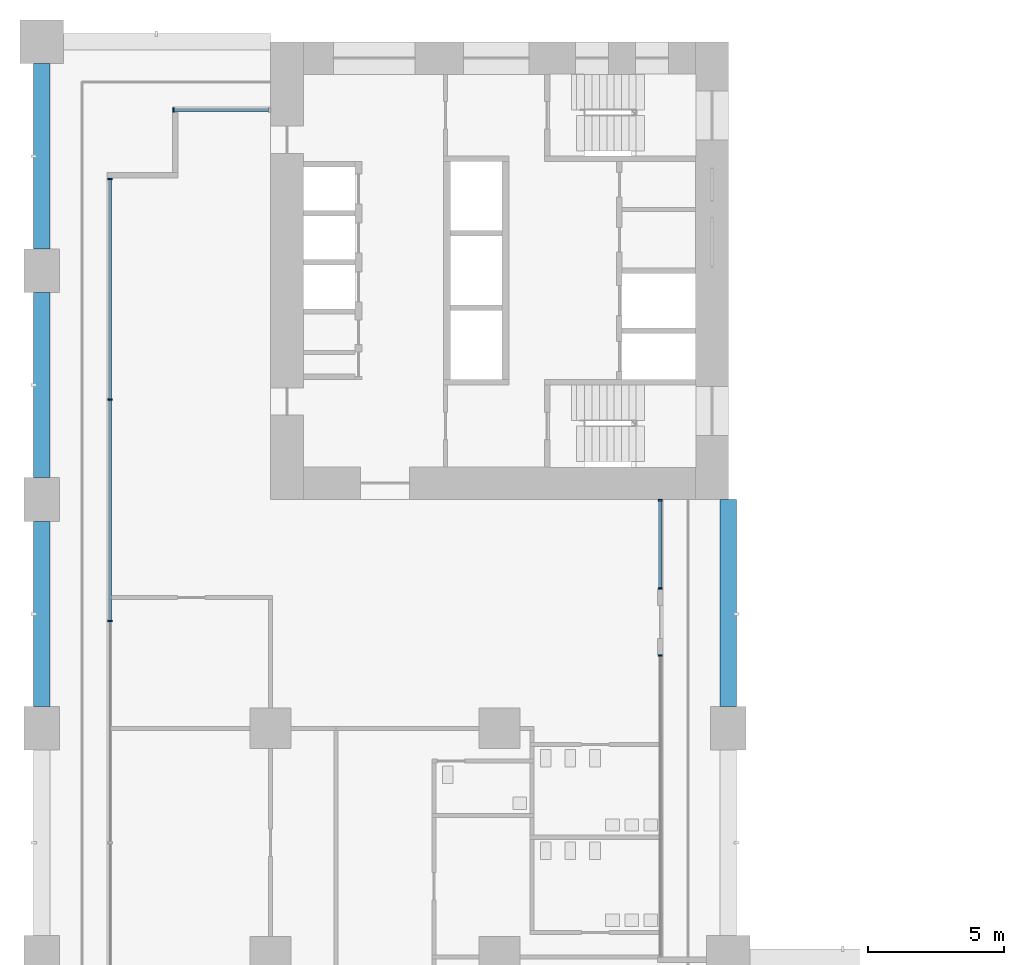
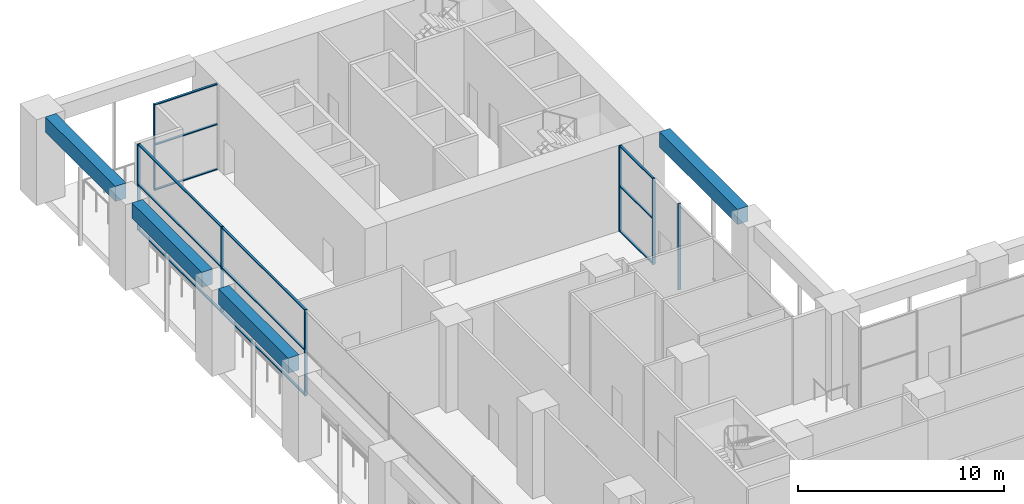
# One storey, part 10 of 33: 19 members, 4 beams, 4 elements without a shape of their own.
"""IFC4 building model written with IfcOpenShell, lengths in metres."""

from ifc_helpers import new_model, si_unit, direction, frame, origin, origin_2d, place, context, subcontext, project, spatial, rectangle, extrude, material, material_profile, profile_set, type_object, element, aggregate, save


model = new_model("IFC4")

# Units and contexts
model_context = context("Model", 3, precision=1e-05, world=origin(), true_north=direction((0.0, 1.0)))
body_context = subcontext(model_context, "Body", "Model", "MODEL_VIEW")
ifc_project = project(units=[si_unit("LENGTHUNIT", "METRE"), si_unit("AREAUNIT", "SQUARE_METRE"), si_unit("VOLUMEUNIT", "CUBIC_METRE"), si_unit("PLANEANGLEUNIT", "RADIAN"), si_unit("MASSUNIT", "GRAM", prefix="KILO")], contexts=[model_context])

# Site, building, storey
site_placement = place(None, origin())
site = spatial("IfcSite", under=ifc_project, at=site_placement, CompositionType="ELEMENT")
building_placement = place(site_placement, origin())
building = spatial("IfcBuilding", under=site, at=building_placement, Name="Vermilion Gate Residences", CompositionType="ELEMENT")
storey_placement = place(building_placement, frame((0.0, 0.0, 14.39990234375)))
storey = spatial("IfcBuildingStorey", under=building, at=storey_placement, Name="L02", CompositionType="ELEMENT", Elevation=14.39990234375)

# Curtain wall, member
ifc_material_1 = material(Name="Aluminium and glass", Category="aluminium")
curtain_wall_type = type_object("IfcCurtainWallType", Name="AMENITY GLAZING CURTAIN WALL", PredefinedType="NOTDEFINED", material=ifc_material_1)
curtain_wall_1_placement = place(storey_placement, origin())
curtain_wall_1 = element("IfcCurtainWall", 1, at=curtain_wall_1_placement, inside=storey, type_object=curtain_wall_type, Name="Amenity Glazing 0", PredefinedType="NOTDEFINED")
ifc_material_2 = material(Name="Aluminium", Category="aluminium")
ifc_material_profile_1 = material_profile(ifc_material_2, rectangle(XDim=0.159912109375, YDim=0.06005859375, at=origin_2d()), Name="MULLION 60 X 160")
ifc_profile_set_1 = profile_set([ifc_material_profile_1], Name="Aluminium")
member_type_1 = type_object("IfcMemberType", Name="AMENITY GLAZING MULLION 60 X 160", PredefinedType="MULLION", material=ifc_profile_set_1)
member_1_placement = place(storey_placement, frame((4.830078125, 56.300048828125, 0.0), z_axis=(0.0, 0.0, 1.0), x_axis=(0.0, -1.0, 0.0)))
member_1 = element("IfcMember", 2, at=member_1_placement, type_object=member_type_1, Name="ECW2 mullion 2", PredefinedType="MULLION", context=body_context, shape_type="SweptSolid", body=[
    extrude(rectangle(XDim=0.159912109375, YDim=0.06005859375, at=origin_2d()), origin(), (0.0, 0.0, 1.0), 5.10009765625),
])

# Curtain wall, members
curtain_wall_2_placement = place(storey_placement, origin())
curtain_wall_2 = element("IfcCurtainWall", 3, at=curtain_wall_2_placement, inside=storey, type_object=curtain_wall_type, Name="Amenity Glazing 30", PredefinedType="NOTDEFINED")
member_2_placement = place(storey_placement, frame((2.5, 53.77001953125, 0.0), z_axis=(0.0, 0.0, 1.0), x_axis=(1.0, 0.0, 0.0)))
member_2 = element("IfcMember", 4, at=member_2_placement, type_object=member_type_1, Name="ECW2 mullion 1", PredefinedType="MULLION", context=body_context, shape_type="SweptSolid", body=[
    extrude(rectangle(XDim=0.159912109375, YDim=0.06005859375, at=origin_2d()), origin(), (0.0, 0.0, 1.0), 5.10009765625),
])
member_3_placement = place(storey_placement, frame((2.5, 45.666748046875, 0.0), z_axis=(0.0, 0.0, 1.0), x_axis=(1.0, 0.0, 0.0)))
member_3 = element("IfcMember", 5, at=member_3_placement, type_object=member_type_1, Name="ECW2 mullion 2", PredefinedType="MULLION", context=body_context, shape_type="SweptSolid", body=[
    extrude(rectangle(XDim=0.159912109375, YDim=0.06005859375, at=origin_2d()), origin(), (0.0, 0.0, 1.0), 5.10009765625),
])
member_4_placement = place(storey_placement, frame((2.5, 37.533447265625, 0.0), z_axis=(0.0, 0.0, 1.0), x_axis=(1.0, 0.0, 0.0)))
member_4 = element("IfcMember", 6, at=member_4_placement, type_object=member_type_1, Name="ECW2 mullion 3", PredefinedType="MULLION", context=body_context, shape_type="SweptSolid", body=[
    extrude(rectangle(XDim=0.159912109375, YDim=0.06005859375, at=origin_2d()), origin(), (0.0, 0.0, 1.0), 5.10009765625),
])

# Curtain wall, member
curtain_wall_3_placement = place(storey_placement, origin())
curtain_wall_3 = element("IfcCurtainWall", 7, at=curtain_wall_3_placement, inside=storey, type_object=curtain_wall_type, Name="Amenity Glazing 160", PredefinedType="NOTDEFINED")
member_5_placement = place(storey_placement, frame((22.699951171875, 36.27001953125, 0.0), z_axis=(0.0, 0.0, 1.0), x_axis=(-1.0, 0.0, 0.0)))
member_5 = element("IfcMember", 8, at=member_5_placement, type_object=member_type_1, Name="ECW2 mullion 2", PredefinedType="MULLION", context=body_context, shape_type="SweptSolid", body=[
    extrude(rectangle(XDim=0.159912109375, YDim=0.06005859375, at=origin_2d()), origin(), (0.0, 0.0, 1.0), 5.10009765625),
])
aggregate(curtain_wall_3, [member_5])

# Curtain wall, members
curtain_wall_4_placement = place(storey_placement, origin())
curtain_wall_4 = element("IfcCurtainWall", 9, at=curtain_wall_4_placement, inside=storey, type_object=curtain_wall_type, Name="Amenity Glazing 162", PredefinedType="NOTDEFINED")
member_6_placement = place(storey_placement, frame((22.699951171875, 38.72998046875, 0.0), z_axis=(0.0, 0.0, 1.0), x_axis=(-1.0, 0.0, 0.0)))
member_6 = element("IfcMember", 10, at=member_6_placement, type_object=member_type_1, Name="ECW2 mullion 1", PredefinedType="MULLION", context=body_context, shape_type="SweptSolid", body=[
    extrude(rectangle(XDim=0.159912109375, YDim=0.06005859375, at=origin_2d()), origin(), (0.0, 0.0, 1.0), 5.10009765625),
])
member_7_placement = place(storey_placement, frame((22.699951171875, 41.969970703125, 0.0), z_axis=(0.0, 0.0, 1.0), x_axis=(-1.0, 0.0, 0.0)))
member_7 = element("IfcMember", 11, at=member_7_placement, type_object=member_type_1, Name="ECW2 mullion 2", PredefinedType="MULLION", context=body_context, shape_type="SweptSolid", body=[
    extrude(rectangle(XDim=0.159912109375, YDim=0.06005859375, at=origin_2d()), origin(), (0.0, 0.0, 1.0), 5.10009765625),
])

# Member
ifc_material_3 = material(Name="Aluminium", Category="aluminium")
ifc_material_profile_2 = material_profile(ifc_material_3, rectangle(XDim=0.1201171875, YDim=0.06005859375, at=origin_2d()), Name="TRANSOM 60 X 120")
ifc_profile_set_2 = profile_set([ifc_material_profile_2], Name="Aluminium")
member_type_2 = type_object("IfcMemberType", Name="AMENITY GLAZING TRANSOM 60 X 120", PredefinedType="MULLION", material=ifc_profile_set_2)
member_8_placement = place(storey_placement, frame((8.340087890625, 56.300048828125, 0.030029296875), z_axis=(-1.0, 0.0, 0.0), x_axis=(0.0, -1.0, 0.0)))
member_8 = element("IfcMember", 12, at=member_8_placement, type_object=member_type_2, Name="ECW2 transom 1.1", PredefinedType="MULLION", context=body_context, shape_type="SweptSolid", body=[
    extrude(rectangle(XDim=0.1201171875, YDim=0.06005859375, at=origin_2d()), origin(), (0.0, 0.0, 1.0), 3.47998046875),
])

member_9_placement = place(storey_placement, frame((8.340087890625, 56.300048828125, 2.7001953125), z_axis=(-1.0, 0.0, 0.0), x_axis=(0.0, -1.0, 0.0)))
member_9 = element("IfcMember", 13, at=member_9_placement, type_object=member_type_2, Name="ECW2 transom 1.2", PredefinedType="MULLION", context=body_context, shape_type="SweptSolid", body=[
    extrude(rectangle(XDim=0.1201171875, YDim=0.06005859375, at=origin_2d()), origin(), (0.0, 0.0, 1.0), 3.47998046875),
])

member_10_placement = place(storey_placement, frame((8.340087890625, 56.300048828125, 5.070068359375), z_axis=(-1.0, 0.0, 0.0), x_axis=(0.0, -1.0, 0.0)))
member_10 = element("IfcMember", 14, at=member_10_placement, type_object=member_type_2, Name="ECW2 transom 1.3", PredefinedType="MULLION", context=body_context, shape_type="SweptSolid", body=[
    extrude(rectangle(XDim=0.1201171875, YDim=0.06005859375, at=origin_2d()), origin(), (0.0, 0.0, 1.0), 3.47998046875),
])

aggregate(curtain_wall_1, [member_1, member_8, member_9, member_10])

member_11_placement = place(storey_placement, frame((2.5, 53.739990234375, 0.030029296875), z_axis=(0.0, -1.0, 0.0), x_axis=(1.0, 0.0, 0.0)))
member_11 = element("IfcMember", 15, at=member_11_placement, type_object=member_type_2, Name="ECW2 transom 1.1", PredefinedType="MULLION", context=body_context, shape_type="SweptSolid", body=[
    extrude(rectangle(XDim=0.1201171875, YDim=0.06005859375, at=origin_2d()), origin(), (0.0, 0.0, 1.0), 8.043212890625),
])

member_12_placement = place(storey_placement, frame((2.5, 53.739990234375, 2.7001953125), z_axis=(0.0, -1.0, 0.0), x_axis=(1.0, 0.0, 0.0)))
member_12 = element("IfcMember", 16, at=member_12_placement, type_object=member_type_2, Name="ECW2 transom 1.2", PredefinedType="MULLION", context=body_context, shape_type="SweptSolid", body=[
    extrude(rectangle(XDim=0.1201171875, YDim=0.06005859375, at=origin_2d()), origin(), (0.0, 0.0, 1.0), 8.043212890625),
])

member_13_placement = place(storey_placement, frame((2.5, 53.739990234375, 5.070068359375), z_axis=(0.0, -1.0, 0.0), x_axis=(1.0, 0.0, 0.0)))
member_13 = element("IfcMember", 17, at=member_13_placement, type_object=member_type_2, Name="ECW2 transom 1.3", PredefinedType="MULLION", context=body_context, shape_type="SweptSolid", body=[
    extrude(rectangle(XDim=0.1201171875, YDim=0.06005859375, at=origin_2d()), origin(), (0.0, 0.0, 1.0), 8.043212890625),
])

member_14_placement = place(storey_placement, frame((2.5, 45.63671875, 0.030029296875), z_axis=(0.0, -1.0, 0.0), x_axis=(1.0, 0.0, 0.0)))
member_14 = element("IfcMember", 18, at=member_14_placement, type_object=member_type_2, Name="ECW2 transom 2.1", PredefinedType="MULLION", context=body_context, shape_type="SweptSolid", body=[
    extrude(rectangle(XDim=0.1201171875, YDim=0.06005859375, at=origin_2d()), origin(), (0.0, 0.0, 1.0), 8.073486328125),
])

member_15_placement = place(storey_placement, frame((2.5, 45.63671875, 2.7001953125), z_axis=(0.0, -1.0, 0.0), x_axis=(1.0, 0.0, 0.0)))
member_15 = element("IfcMember", 19, at=member_15_placement, type_object=member_type_2, Name="ECW2 transom 2.2", PredefinedType="MULLION", context=body_context, shape_type="SweptSolid", body=[
    extrude(rectangle(XDim=0.1201171875, YDim=0.06005859375, at=origin_2d()), origin(), (0.0, 0.0, 1.0), 8.073486328125),
])

member_16_placement = place(storey_placement, frame((2.5, 45.63671875, 5.070068359375), z_axis=(0.0, -1.0, 0.0), x_axis=(1.0, 0.0, 0.0)))
member_16 = element("IfcMember", 20, at=member_16_placement, type_object=member_type_2, Name="ECW2 transom 2.3", PredefinedType="MULLION", context=body_context, shape_type="SweptSolid", body=[
    extrude(rectangle(XDim=0.1201171875, YDim=0.06005859375, at=origin_2d()), origin(), (0.0, 0.0, 1.0), 8.073486328125),
])

aggregate(curtain_wall_2, [member_2, member_3, member_4, member_11, member_12, member_13, member_14, member_15, member_16])

member_17_placement = place(storey_placement, frame((22.699951171875, 38.760009765625, 0.030029296875), z_axis=(0.0, 1.0, 0.0), x_axis=(-1.0, 0.0, 0.0)))
member_17 = element("IfcMember", 21, at=member_17_placement, type_object=member_type_2, Name="ECW2 transom 1.1", PredefinedType="MULLION", context=body_context, shape_type="SweptSolid", body=[
    extrude(rectangle(XDim=0.1201171875, YDim=0.06005859375, at=origin_2d()), origin(), (0.0, 0.0, 1.0), 3.179931640625),
])

member_18_placement = place(storey_placement, frame((22.699951171875, 38.760009765625, 2.7001953125), z_axis=(0.0, 1.0, 0.0), x_axis=(-1.0, 0.0, 0.0)))
member_18 = element("IfcMember", 22, at=member_18_placement, type_object=member_type_2, Name="ECW2 transom 1.2", PredefinedType="MULLION", context=body_context, shape_type="SweptSolid", body=[
    extrude(rectangle(XDim=0.1201171875, YDim=0.06005859375, at=origin_2d()), origin(), (0.0, 0.0, 1.0), 3.179931640625),
])

member_19_placement = place(storey_placement, frame((22.699951171875, 38.760009765625, 5.070068359375), z_axis=(0.0, 1.0, 0.0), x_axis=(-1.0, 0.0, 0.0)))
member_19 = element("IfcMember", 23, at=member_19_placement, type_object=member_type_2, Name="ECW2 transom 1.3", PredefinedType="MULLION", context=body_context, shape_type="SweptSolid", body=[
    extrude(rectangle(XDim=0.1201171875, YDim=0.06005859375, at=origin_2d()), origin(), (0.0, 0.0, 1.0), 3.179931640625),
])

aggregate(curtain_wall_4, [member_6, member_7, member_17, member_18, member_19])

# Beams
ifc_material_4 = material(Name="Concrete C60 red-oxide pigmented", Category="concrete")
ifc_material_profile_3 = material_profile(ifc_material_4, rectangle(XDim=0.60009765625, YDim=0.89990234375, at=origin_2d()), Name="RC-600x900")
ifc_profile_set_3 = profile_set([ifc_material_profile_3], Name="Concrete C60 red-oxide pigmented")
beam_type = type_object("IfcBeamType", Name="RC EDGE BEAM 600 X 900 C60", PredefinedType="BEAM", material=ifc_profile_set_3)
for number, where, z_axis, x_axis, name in (
    (24, (0.0, 34.39990234375, 4.650146484375), (0.0, 1.0, 0.0), (-1.0, 0.0, 0.0), "Edge beam L02 6"),
    (25, (0.0, 42.800048828125, 4.650146484375), (0.0, 1.0, 0.0), (-1.0, 0.0, 0.0), "Edge beam L02 7"),
    (26, (0.0, 51.199951171875, 4.650146484375), (0.0, 1.0, 0.0), (-1.0, 0.0, 0.0), "Edge beam L02 9"),
):
    element("IfcBeam", number, at=place(storey_placement, frame(where, z_axis=z_axis, x_axis=x_axis)), inside=storey, type_object=beam_type, Name=name, PredefinedType="BEAM", context=body_context, shape_type="SweptSolid", body=[
        extrude(rectangle(XDim=0.60009765625, YDim=0.89990234375, at=origin_2d()), origin(), (0.0, 0.0, 1.0), 6.800048828125),
    ])
beam_placement = place(storey_placement, frame((25.199951171875, 34.39990234375, 4.650146484375), z_axis=(0.0, 1.0, 0.0), x_axis=(-1.0, 0.0, 0.0)))
element("IfcBeam", 27, at=beam_placement, inside=storey, type_object=beam_type, Name="Edge beam L02 13", PredefinedType="BEAM", context=body_context, shape_type="SweptSolid", body=[
    extrude(rectangle(XDim=0.60009765625, YDim=0.89990234375, at=origin_2d()), origin(), (0.0, 0.0, 1.0), 7.60009765625),
])

save(model, "model.ifc")
